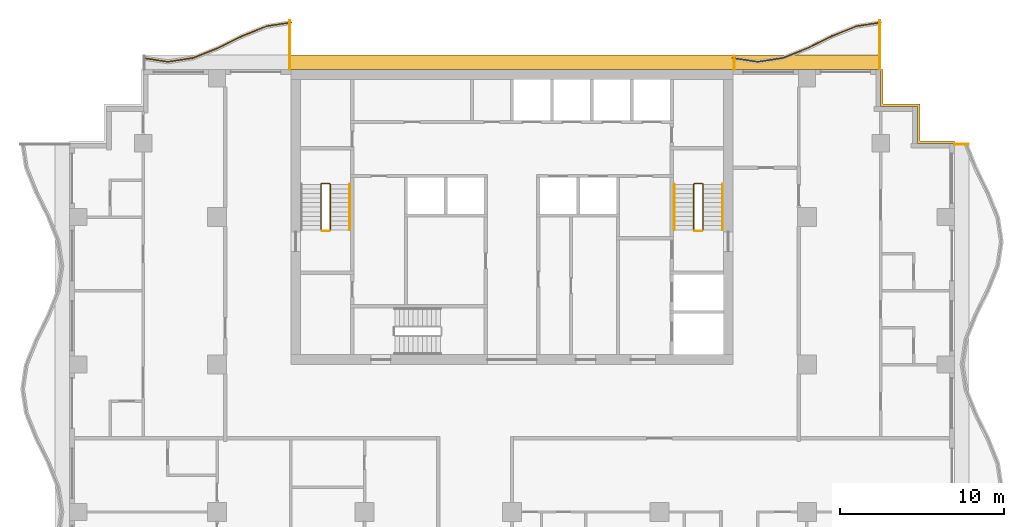
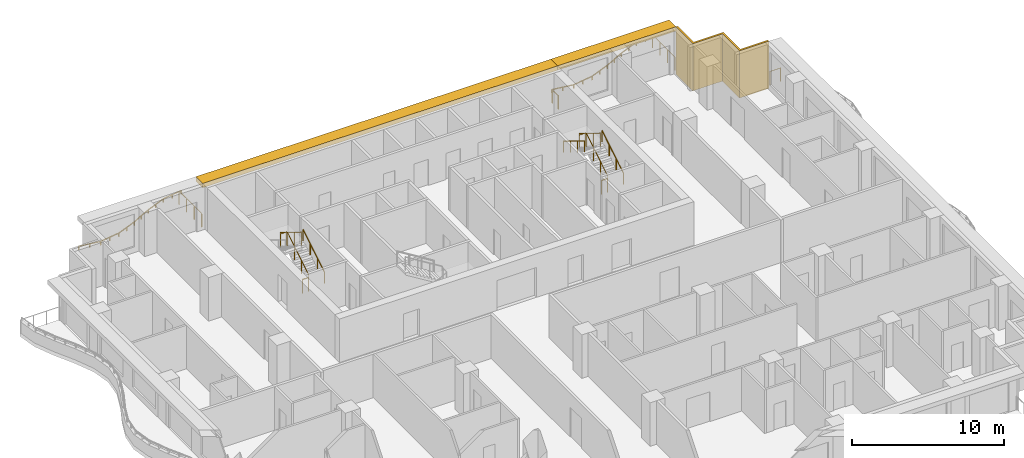
# One storey, part 11 of 11: 13 railings, 3 shading devices.
"""IFC4 building model written with IfcOpenShell, lengths in metres."""

from ifc_helpers import new_model, si_unit, direction, frame, origin, origin_2d, place, context, subcontext, project, spatial, polyline, rectangle, circle, outline, extrude, material, layer, layer_set, type_object, element, save


model = new_model("IFC4")

# Units and contexts
model_context = context("Model", 3, precision=1e-05, world=origin(), true_north=direction((0.0, 1.0)))
body_context = subcontext(model_context, "Body", "Model", "MODEL_VIEW")
ifc_project = project(units=[si_unit("LENGTHUNIT", "METRE"), si_unit("AREAUNIT", "SQUARE_METRE"), si_unit("VOLUMEUNIT", "CUBIC_METRE"), si_unit("PLANEANGLEUNIT", "RADIAN"), si_unit("MASSUNIT", "GRAM", prefix="KILO")], contexts=[model_context])

# Site, building, storey
site_placement = place(None, origin())
site = spatial("IfcSite", under=ifc_project, at=site_placement, CompositionType="ELEMENT")
building_placement = place(site_placement, origin())
building = spatial("IfcBuilding", under=site, at=building_placement, Name="Orbiselva Terraces", CompositionType="ELEMENT")
storey_placement = place(building_placement, frame((0.0, 0.0, 188.2)))
storey = spatial("IfcBuildingStorey", under=building, at=storey_placement, Name="L47", CompositionType="ELEMENT", Elevation=188.2)

# Railings
ifc_material_1 = material(Name="Stainless steel", Category="steel")
railing_type_1 = type_object("IfcRailingType", Name="CORE-GUARD-1100", PredefinedType="GUARDRAIL", material=ifc_material_1)
railing_1_placement = place(storey_placement, frame((-11.1, 12.7, 0.172727)))
element("IfcRailing", 1, at=railing_1_placement, inside=storey, type_object=railing_type_1, Name="L47 S1 stair guard 1", PredefinedType="GUARDRAIL", context=body_context, shape_type="SweptSolid", body=[
    extrude(circle(Radius=0.024, at=origin_2d()), frame((0.0, 0.0, 1.081), z_axis=(0.0, 0.851088519012, 0.52502222125), x_axis=(-1.0, 0.0, 0.0)), (0.0, 0.0, 1.0), 3.289905),
    extrude(circle(Radius=0.024, at=origin_2d()), frame((0.0, 2.8, 2.808273), z_axis=(-0.707106781187, 0.707106781187, 0.0), x_axis=(-0.707106781187, -0.707106781187, 0.0)), (0.0, 0.0, 1.0), 0.070711),
    extrude(circle(Radius=0.024, at=origin_2d()), frame((-0.05, 2.85, 2.808273), z_axis=(-1.0, 0.0, 0.0), x_axis=(0.0, -1.0, 0.0)), (0.0, 0.0, 1.0), 0.45),
    extrude(circle(Radius=0.024, at=origin_2d()), frame((-0.5, 2.85, 2.808273), z_axis=(-0.267894925557, -0.267894925557, 0.925453736133), x_axis=(0.707106781187, -0.707106781187, 0.0)), (0.0, 0.0, 1.0), 0.18664),
    extrude(circle(Radius=0.024, at=origin_2d()), frame((-0.55, 2.8, 2.981), z_axis=(0.0, -0.851088519012, 0.52502222125), x_axis=(1.0, 0.0, 0.0)), (0.0, 0.0, 1.0), 3.289905),
    extrude(circle(Radius=0.021, at=origin_2d()), origin(), (0.0, 0.0, 1.0), 1.057),
    extrude(circle(Radius=0.021, at=origin_2d()), frame((0.0, 0.933333, 0.575758)), (0.0, 0.0, 1.0), 1.057),
    extrude(circle(Radius=0.021, at=origin_2d()), frame((0.0, 1.866667, 1.151515)), (0.0, 0.0, 1.0), 1.057),
    extrude(circle(Radius=0.021, at=origin_2d()), frame((0.0, 2.8, 1.727273)), (0.0, 0.0, 1.0), 1.057),
    extrude(circle(Radius=0.021, at=origin_2d()), frame((-0.05, 2.85, 1.727273)), (0.0, 0.0, 1.0), 1.057),
    extrude(circle(Radius=0.021, at=origin_2d()), frame((-0.5, 2.85, 1.727273)), (0.0, 0.0, 1.0), 1.057),
    extrude(circle(Radius=0.021, at=origin_2d()), frame((-0.55, 2.8, 1.9)), (0.0, 0.0, 1.0), 1.057),
    extrude(circle(Radius=0.021, at=origin_2d()), frame((-0.55, 1.866667, 2.475758)), (0.0, 0.0, 1.0), 1.057),
    extrude(circle(Radius=0.021, at=origin_2d()), frame((-0.55, 0.933333, 3.051515)), (0.0, 0.0, 1.0), 1.057),
    extrude(circle(Radius=0.021, at=origin_2d()), frame((-0.55, 0.0, 3.627273)), (0.0, 0.0, 1.0), 1.057),
])
railing_2_placement = place(storey_placement, frame((-11.15, 12.65, 0.0)))
element("IfcRailing", 2, at=railing_2_placement, inside=storey, type_object=railing_type_1, Name="L47 S1 stair guard 2", PredefinedType="GUARDRAIL", context=body_context, shape_type="SweptSolid", body=[
    extrude(circle(Radius=0.024, at=origin_2d()), frame((0.0, 0.0, 1.081), z_axis=(-1.0, 0.0, 0.0), x_axis=(0.0, -1.0, 0.0)), (0.0, 0.0, 1.0), 0.45),
    extrude(circle(Radius=0.021, at=origin_2d()), origin(), (0.0, 0.0, 1.0), 1.057),
    extrude(circle(Radius=0.021, at=origin_2d()), frame((-0.45, 0.0, 0.0)), (0.0, 0.0, 1.0), 1.057),
])
railing_3_placement = place(storey_placement, frame((11.65, 12.7, 0.172727)))
element("IfcRailing", 3, at=railing_3_placement, inside=storey, type_object=railing_type_1, Name="L47 S2 stair guard 1", PredefinedType="GUARDRAIL", context=body_context, shape_type="SweptSolid", body=[
    extrude(circle(Radius=0.024, at=origin_2d()), frame((0.0, 0.0, 1.081), z_axis=(0.0, 0.851088519012, 0.52502222125), x_axis=(-1.0, 0.0, 0.0)), (0.0, 0.0, 1.0), 3.289905),
    extrude(circle(Radius=0.024, at=origin_2d()), frame((0.0, 2.8, 2.808273), z_axis=(-0.707106781187, 0.707106781187, 0.0), x_axis=(-0.707106781187, -0.707106781187, 0.0)), (0.0, 0.0, 1.0), 0.070711),
    extrude(circle(Radius=0.024, at=origin_2d()), frame((-0.05, 2.85, 2.808273), z_axis=(-1.0, 0.0, 0.0), x_axis=(0.0, -1.0, 0.0)), (0.0, 0.0, 1.0), 0.45),
    extrude(circle(Radius=0.024, at=origin_2d()), frame((-0.5, 2.85, 2.808273), z_axis=(-0.267894925557, -0.267894925557, 0.925453736133), x_axis=(0.707106781187, -0.707106781187, 0.0)), (0.0, 0.0, 1.0), 0.18664),
    extrude(circle(Radius=0.024, at=origin_2d()), frame((-0.55, 2.8, 2.981), z_axis=(0.0, -0.851088519012, 0.52502222125), x_axis=(1.0, 0.0, 0.0)), (0.0, 0.0, 1.0), 3.289905),
    extrude(circle(Radius=0.021, at=origin_2d()), origin(), (0.0, 0.0, 1.0), 1.057),
    extrude(circle(Radius=0.021, at=origin_2d()), frame((0.0, 0.933333, 0.575758)), (0.0, 0.0, 1.0), 1.057),
    extrude(circle(Radius=0.021, at=origin_2d()), frame((0.0, 1.866667, 1.151515)), (0.0, 0.0, 1.0), 1.057),
    extrude(circle(Radius=0.021, at=origin_2d()), frame((0.0, 2.8, 1.727273)), (0.0, 0.0, 1.0), 1.057),
    extrude(circle(Radius=0.021, at=origin_2d()), frame((-0.05, 2.85, 1.727273)), (0.0, 0.0, 1.0), 1.057),
    extrude(circle(Radius=0.021, at=origin_2d()), frame((-0.5, 2.85, 1.727273)), (0.0, 0.0, 1.0), 1.057),
    extrude(circle(Radius=0.021, at=origin_2d()), frame((-0.55, 2.8, 1.9)), (0.0, 0.0, 1.0), 1.057),
    extrude(circle(Radius=0.021, at=origin_2d()), frame((-0.55, 1.866667, 2.475758)), (0.0, 0.0, 1.0), 1.057),
    extrude(circle(Radius=0.021, at=origin_2d()), frame((-0.55, 0.933333, 3.051515)), (0.0, 0.0, 1.0), 1.057),
    extrude(circle(Radius=0.021, at=origin_2d()), frame((-0.55, 0.0, 3.627273)), (0.0, 0.0, 1.0), 1.057),
])
railing_4_placement = place(storey_placement, frame((11.6, 12.65, 0.0)))
element("IfcRailing", 4, at=railing_4_placement, inside=storey, type_object=railing_type_1, Name="L47 S2 stair guard 2", PredefinedType="GUARDRAIL", context=body_context, shape_type="SweptSolid", body=[
    extrude(circle(Radius=0.024, at=origin_2d()), frame((0.0, 0.0, 1.081), z_axis=(-1.0, 0.0, 0.0), x_axis=(0.0, -1.0, 0.0)), (0.0, 0.0, 1.0), 0.45),
    extrude(circle(Radius=0.021, at=origin_2d()), origin(), (0.0, 0.0, 1.0), 1.057),
    extrude(circle(Radius=0.021, at=origin_2d()), frame((-0.45, 0.0, 0.0)), (0.0, 0.0, 1.0), 1.057),
])
railing_type_2 = type_object("IfcRailingType", Name="CORE-HANDRAIL-900", PredefinedType="HANDRAIL", material=ifc_material_1)
for number, where, name in (
    (5, (-9.9, 12.7, 0.172727), "L47 S1 stair handrail 1"),
    (6, (12.85, 12.7, 0.172727), "L47 S2 stair handrail 1"),
):
    element("IfcRailing", number, at=place(storey_placement, frame(where)), inside=storey, type_object=railing_type_2, Name=name, PredefinedType="HANDRAIL", context=body_context, shape_type="SweptSolid", body=[
        extrude(circle(Radius=0.024, at=origin_2d()), frame((0.0, 0.0, 0.876), z_axis=(0.0, 0.851088519012, 0.52502222125), x_axis=(-1.0, 0.0, 0.0)), (0.0, 0.0, 1.0), 3.289905),
        extrude(circle(Radius=0.021, at=origin_2d()), origin(), (0.0, 0.0, 1.0), 0.852),
        extrude(circle(Radius=0.021, at=origin_2d()), frame((0.0, 0.933333, 0.575758)), (0.0, 0.0, 1.0), 0.852),
        extrude(circle(Radius=0.021, at=origin_2d()), frame((0.0, 1.866667, 1.151515)), (0.0, 0.0, 1.0), 0.852),
        extrude(circle(Radius=0.021, at=origin_2d()), frame((0.0, 2.8, 1.727273)), (0.0, 0.0, 1.0), 0.852),
    ])
railing_5_placement = place(storey_placement, frame((9.9, 15.5, 2.072727)))
element("IfcRailing", 7, at=railing_5_placement, inside=storey, type_object=railing_type_2, Name="L47 S2 stair handrail 2", PredefinedType="HANDRAIL", context=body_context, shape_type="SweptSolid", body=[
    extrude(circle(Radius=0.024, at=origin_2d()), frame((0.0, 0.0, 0.876), z_axis=(0.0, -0.851088519012, 0.52502222125), x_axis=(1.0, 0.0, 0.0)), (0.0, 0.0, 1.0), 3.289905),
    extrude(circle(Radius=0.021, at=origin_2d()), origin(), (0.0, 0.0, 1.0), 0.852),
    extrude(circle(Radius=0.021, at=origin_2d()), frame((0.0, -0.933333, 0.575758)), (0.0, 0.0, 1.0), 0.852),
    extrude(circle(Radius=0.021, at=origin_2d()), frame((0.0, -1.866667, 1.151515)), (0.0, 0.0, 1.0), 0.852),
    extrude(circle(Radius=0.021, at=origin_2d()), frame((0.0, -2.8, 1.727273)), (0.0, 0.0, 1.0), 0.852),
])
ifc_material_2 = material(Name="Bonded two-ply safety glass balustrade, stainless steel posts", Category="steel")
railing_type_3 = type_object("IfcRailingType", Name="ENV-BALUSTRADE-1200", PredefinedType="BALUSTRADE", material=ifc_material_2)
railing_6_placement = place(storey_placement, frame((22.518879, 25.376434, 0.9)))
element("IfcRailing", 8, at=railing_6_placement, inside=storey, type_object=railing_type_3, Name="Balcony balustrade L47 NE", PredefinedType="BALUSTRADE", context=body_context, shape_type="SweptSolid", body=[
    extrude(outline(polyline([(0.028868, 0.0), (0.014434, 0.025), (-0.014434, 0.025), (-0.028868, 0.0), (-0.014434, -0.025), (0.014434, -0.025), (0.028868, 0.0)])), frame((0.0, 0.0, 0.275), z_axis=(-0.988528552748, -0.151034103443, 0.0), x_axis=(0.151034103443, -0.988528552748, 0.0)), (0.0, 0.0, 1.0), 1.503038),
    extrude(outline(polyline([(0.028868, 0.0), (0.014434, 0.025), (-0.014434, 0.025), (-0.028868, 0.0), (-0.014434, -0.025), (0.014434, -0.025), (0.028868, 0.0)])), frame((-1.485796, -0.22701, 0.275), z_axis=(-0.928476561272, -0.371391000387, 0.0), x_axis=(0.371391000387, -0.928476561272, 0.0)), (0.0, 0.0, 1.0), 1.596261),
    extrude(outline(polyline([(0.028868, 0.0), (0.014434, 0.025), (-0.014434, 0.025), (-0.028868, 0.0), (-0.014434, -0.025), (0.014434, -0.025), (0.028868, 0.0)])), frame((-2.967887, -0.819847, 0.275), z_axis=(-0.896416672454, -0.443212307306, 0.0), x_axis=(0.443212307306, -0.896416672454, 0.0)), (0.0, 0.0, 1.0), 1.673329),
    extrude(outline(polyline([(0.028868, 0.0), (0.014434, 0.025), (-0.014434, 0.025), (-0.028868, 0.0), (-0.014434, -0.025), (0.014434, -0.025), (0.028868, 0.0)])), frame((-4.467887, -1.561487, 0.275), z_axis=(-0.92847681744, -0.371390359967, 0.0), x_axis=(0.371390359967, -0.92847681744, 0.0)), (0.0, 0.0, 1.0), 1.634838),
    extrude(outline(polyline([(0.028868, 0.0), (0.014434, 0.025), (-0.014434, 0.025), (-0.028868, 0.0), (-0.014434, -0.025), (0.014434, -0.025), (0.028868, 0.0)])), frame((-5.985796, -2.16865, 0.275), z_axis=(-0.988528536275, -0.151034211256, 0.0), x_axis=(0.151034211256, -0.988528536275, 0.0)), (0.0, 0.0, 1.0), 1.550874),
    extrude(outline(polyline([(0.028868, 0.0), (0.014434, 0.025), (-0.014434, 0.025), (-0.028868, 0.0), (-0.014434, -0.025), (0.014434, -0.025), (0.028868, 0.0)])), frame((-7.518879, -2.402885, 0.275), z_axis=(-0.988528518286, 0.151034328999, 0.0), x_axis=(-0.151034328999, -0.988528518286, 0.0)), (0.0, 0.0, 1.0), 1.536505),
    extrude(rectangle(XDim=0.05, YDim=0.05, at=origin_2d()), origin(), (0.0, 0.0, 1.0), 0.25),
    extrude(rectangle(XDim=0.05, YDim=0.05, at=origin_2d()), frame((-0.742898, -0.113505, 0.0)), (0.0, 0.0, 1.0), 0.25),
    extrude(rectangle(XDim=0.05, YDim=0.05, at=origin_2d()), frame((-1.485796, -0.22701, 0.0)), (0.0, 0.0, 1.0), 0.25),
    extrude(rectangle(XDim=0.05, YDim=0.05, at=origin_2d()), frame((-2.226841, -0.523428, 0.0)), (0.0, 0.0, 1.0), 0.25),
    extrude(rectangle(XDim=0.05, YDim=0.05, at=origin_2d()), frame((-2.967887, -0.819847, 0.0)), (0.0, 0.0, 1.0), 0.25),
    extrude(rectangle(XDim=0.05, YDim=0.05, at=origin_2d()), frame((-3.717887, -1.190667, 0.0)), (0.0, 0.0, 1.0), 0.25),
    extrude(rectangle(XDim=0.05, YDim=0.05, at=origin_2d()), frame((-4.467887, -1.561487, 0.0)), (0.0, 0.0, 1.0), 0.25),
    extrude(rectangle(XDim=0.05, YDim=0.05, at=origin_2d()), frame((-5.226841, -1.865068, 0.0)), (0.0, 0.0, 1.0), 0.25),
    extrude(rectangle(XDim=0.05, YDim=0.05, at=origin_2d()), frame((-5.985796, -2.16865, 0.0)), (0.0, 0.0, 1.0), 0.25),
    extrude(rectangle(XDim=0.05, YDim=0.05, at=origin_2d()), frame((-6.752337, -2.285768, 0.0)), (0.0, 0.0, 1.0), 0.25),
    extrude(rectangle(XDim=0.05, YDim=0.05, at=origin_2d()), frame((-7.518879, -2.402885, 0.0)), (0.0, 0.0, 1.0), 0.25),
    extrude(rectangle(XDim=0.05, YDim=0.05, at=origin_2d()), frame((-8.278318, -2.286852, 0.0)), (0.0, 0.0, 1.0), 0.25),
    extrude(rectangle(XDim=0.05, YDim=0.05, at=origin_2d()), frame((-9.037758, -2.17082, 0.0)), (0.0, 0.0, 1.0), 0.25),
])
railing_7_placement = place(storey_placement, frame((-13.481121, 25.376434, 0.9)))
element("IfcRailing", 9, at=railing_7_placement, inside=storey, type_object=railing_type_3, Name="Balcony balustrade L47 NW", PredefinedType="BALUSTRADE", context=body_context, shape_type="SweptSolid", body=[
    extrude(outline(polyline([(0.028868, 0.0), (0.014434, 0.025), (-0.014434, 0.025), (-0.028868, 0.0), (-0.014434, -0.025), (0.014434, -0.025), (0.028868, 0.0)])), frame((0.0, 0.0, 0.275), z_axis=(-0.988528552748, -0.151034103443, 0.0), x_axis=(0.151034103443, -0.988528552748, 0.0)), (0.0, 0.0, 1.0), 1.503038),
    extrude(outline(polyline([(0.028868, 0.0), (0.014434, 0.025), (-0.014434, 0.025), (-0.028868, 0.0), (-0.014434, -0.025), (0.014434, -0.025), (0.028868, 0.0)])), frame((-1.485796, -0.22701, 0.275), z_axis=(-0.928476561272, -0.371391000387, 0.0), x_axis=(0.371391000387, -0.928476561272, 0.0)), (0.0, 0.0, 1.0), 1.596261),
    extrude(outline(polyline([(0.028868, 0.0), (0.014434, 0.025), (-0.014434, 0.025), (-0.028868, 0.0), (-0.014434, -0.025), (0.014434, -0.025), (0.028868, 0.0)])), frame((-2.967887, -0.819847, 0.275), z_axis=(-0.896416672454, -0.443212307306, 0.0), x_axis=(0.443212307306, -0.896416672454, 0.0)), (0.0, 0.0, 1.0), 1.673329),
    extrude(outline(polyline([(0.028868, 0.0), (0.014434, 0.025), (-0.014434, 0.025), (-0.028868, 0.0), (-0.014434, -0.025), (0.014434, -0.025), (0.028868, 0.0)])), frame((-4.467887, -1.561487, 0.275), z_axis=(-0.92847681744, -0.371390359967, 0.0), x_axis=(0.371390359967, -0.92847681744, 0.0)), (0.0, 0.0, 1.0), 1.634838),
    extrude(outline(polyline([(0.028868, 0.0), (0.014434, 0.025), (-0.014434, 0.025), (-0.028868, 0.0), (-0.014434, -0.025), (0.014434, -0.025), (0.028868, 0.0)])), frame((-5.985796, -2.16865, 0.275), z_axis=(-0.988528536275, -0.151034211256, 0.0), x_axis=(0.151034211256, -0.988528536275, 0.0)), (0.0, 0.0, 1.0), 1.550874),
    extrude(outline(polyline([(0.028868, 0.0), (0.014434, 0.025), (-0.014434, 0.025), (-0.028868, 0.0), (-0.014434, -0.025), (0.014434, -0.025), (0.028868, 0.0)])), frame((-7.518879, -2.402885, 0.275), z_axis=(-0.988528518286, 0.151034328999, 0.0), x_axis=(-0.151034328999, -0.988528518286, 0.0)), (0.0, 0.0, 1.0), 1.536505),
    extrude(rectangle(XDim=0.05, YDim=0.05, at=origin_2d()), origin(), (0.0, 0.0, 1.0), 0.25),
    extrude(rectangle(XDim=0.05, YDim=0.05, at=origin_2d()), frame((-0.742898, -0.113505, 0.0)), (0.0, 0.0, 1.0), 0.25),
    extrude(rectangle(XDim=0.05, YDim=0.05, at=origin_2d()), frame((-1.485796, -0.22701, 0.0)), (0.0, 0.0, 1.0), 0.25),
    extrude(rectangle(XDim=0.05, YDim=0.05, at=origin_2d()), frame((-2.226842, -0.523428, 0.0)), (0.0, 0.0, 1.0), 0.25),
    extrude(rectangle(XDim=0.05, YDim=0.05, at=origin_2d()), frame((-2.967887, -0.819847, 0.0)), (0.0, 0.0, 1.0), 0.25),
    extrude(rectangle(XDim=0.05, YDim=0.05, at=origin_2d()), frame((-3.717887, -1.190667, 0.0)), (0.0, 0.0, 1.0), 0.25),
    extrude(rectangle(XDim=0.05, YDim=0.05, at=origin_2d()), frame((-4.467887, -1.561487, 0.0)), (0.0, 0.0, 1.0), 0.25),
    extrude(rectangle(XDim=0.05, YDim=0.05, at=origin_2d()), frame((-5.226841, -1.865068, 0.0)), (0.0, 0.0, 1.0), 0.25),
    extrude(rectangle(XDim=0.05, YDim=0.05, at=origin_2d()), frame((-5.985796, -2.16865, 0.0)), (0.0, 0.0, 1.0), 0.25),
    extrude(rectangle(XDim=0.05, YDim=0.05, at=origin_2d()), frame((-6.752337, -2.285768, 0.0)), (0.0, 0.0, 1.0), 0.25),
    extrude(rectangle(XDim=0.05, YDim=0.05, at=origin_2d()), frame((-7.518879, -2.402885, 0.0)), (0.0, 0.0, 1.0), 0.25),
    extrude(rectangle(XDim=0.05, YDim=0.05, at=origin_2d()), frame((-8.278318, -2.286852, 0.0)), (0.0, 0.0, 1.0), 0.25),
    extrude(rectangle(XDim=0.05, YDim=0.05, at=origin_2d()), frame((-9.037758, -2.17082, 0.0)), (0.0, 0.0, 1.0), 0.25),
])
ifc_material_3 = material(Name="Stainless steel rail and posts", Category="steel")
railing_type_4 = type_object("IfcRailingType", Name="ENV-GUARD-1105", PredefinedType="BALUSTRADE", material=ifc_material_3)
railing_8_placement = place(storey_placement, frame((27.847212, 17.94, 0.0)))
element("IfcRailing", 10, at=railing_8_placement, inside=storey, type_object=railing_type_4, Name="Balcony end guard L47 E", PredefinedType="BALUSTRADE", context=body_context, shape_type="SweptSolid", body=[
    extrude(outline(polyline([(0.028868, 0.0), (0.014434, 0.025), (-0.014434, 0.025), (-0.028868, 0.0), (-0.014434, -0.025), (0.014434, -0.025), (0.028868, 0.0)])), frame((0.0, 0.0, 1.08), z_axis=(-1.0, 0.0, 0.0), x_axis=(0.0, -1.0, 0.0)), (0.0, 0.0, 1.0), 0.822212),
    extrude(rectangle(XDim=0.05, YDim=0.05, at=origin_2d()), origin(), (0.0, 0.0, 1.0), 1.055),
    extrude(rectangle(XDim=0.05, YDim=0.05, at=origin_2d()), frame((-0.822212, 0.0, 0.0)), (0.0, 0.0, 1.0), 1.055),
])
railing_9_placement = place(storey_placement, frame((22.44, 25.499621, 0.0)))
element("IfcRailing", 11, at=railing_9_placement, inside=storey, type_object=railing_type_4, Name="Balcony end guard L47 NE", PredefinedType="BALUSTRADE", context=body_context, shape_type="SweptSolid", body=[
    extrude(outline(polyline([(0.028868, 0.0), (0.014434, 0.025), (-0.014434, 0.025), (-0.028868, 0.0), (-0.014434, -0.025), (0.014434, -0.025), (0.028868, 0.0)])), frame((0.0, 0.0, 1.08), z_axis=(0.0, -1.0, 0.0), x_axis=(1.0, 0.0, 0.0)), (0.0, 0.0, 1.0), 2.974621),
    extrude(rectangle(XDim=0.05, YDim=0.05, at=origin_2d()), origin(), (0.0, 0.0, 1.0), 1.055),
    extrude(rectangle(XDim=0.05, YDim=0.05, at=origin_2d()), frame((0.0, -0.99154, 0.0)), (0.0, 0.0, 1.0), 1.055),
    extrude(rectangle(XDim=0.05, YDim=0.05, at=origin_2d()), frame((0.0, -1.983081, 0.0)), (0.0, 0.0, 1.0), 1.055),
    extrude(rectangle(XDim=0.05, YDim=0.05, at=origin_2d()), frame((0.0, -2.974621, 0.0)), (0.0, 0.0, 1.0), 1.055),
])
railing_10_placement = place(storey_placement, frame((13.56, 23.311761, 0.0)))
element("IfcRailing", 12, at=railing_10_placement, inside=storey, type_object=railing_type_4, Name="Balcony end guard L47 NE", PredefinedType="BALUSTRADE", context=body_context, shape_type="SweptSolid", body=[
    extrude(outline(polyline([(0.028868, 0.0), (0.014434, 0.025), (-0.014434, 0.025), (-0.028868, 0.0), (-0.014434, -0.025), (0.014434, -0.025), (0.028868, 0.0)])), frame((0.0, 0.0, 1.08), z_axis=(0.0, -1.0, 0.0), x_axis=(1.0, 0.0, 0.0)), (0.0, 0.0, 1.0), 0.786761),
    extrude(rectangle(XDim=0.05, YDim=0.05, at=origin_2d()), origin(), (0.0, 0.0, 1.0), 1.055),
    extrude(rectangle(XDim=0.05, YDim=0.05, at=origin_2d()), frame((0.0, -0.786761, 0.0)), (0.0, 0.0, 1.0), 1.055),
])
railing_11_placement = place(storey_placement, frame((-13.56, 25.499621, 0.0)))
element("IfcRailing", 13, at=railing_11_placement, inside=storey, type_object=railing_type_4, Name="Balcony end guard L47 NW", PredefinedType="BALUSTRADE", context=body_context, shape_type="SweptSolid", body=[
    extrude(outline(polyline([(0.028868, 0.0), (0.014434, 0.025), (-0.014434, 0.025), (-0.028868, 0.0), (-0.014434, -0.025), (0.014434, -0.025), (0.028868, 0.0)])), frame((0.0, 0.0, 1.08), z_axis=(0.0, -1.0, 0.0), x_axis=(1.0, 0.0, 0.0)), (0.0, 0.0, 1.0), 2.974621),
    extrude(rectangle(XDim=0.05, YDim=0.05, at=origin_2d()), origin(), (0.0, 0.0, 1.0), 1.055),
    extrude(rectangle(XDim=0.05, YDim=0.05, at=origin_2d()), frame((0.0, -0.99154, 0.0)), (0.0, 0.0, 1.0), 1.055),
    extrude(rectangle(XDim=0.05, YDim=0.05, at=origin_2d()), frame((0.0, -1.983081, 0.0)), (0.0, 0.0, 1.0), 1.055),
    extrude(rectangle(XDim=0.05, YDim=0.05, at=origin_2d()), frame((0.0, -2.974621, 0.0)), (0.0, 0.0, 1.0), 1.055),
])

# Shading devices
ifc_material_4 = material(Name="Terracotta louvre screen", Category="masonry")
ifc_layer_1 = layer(ifc_material_4, 0.15)
ifc_layer_set_1 = layer_set([ifc_layer_1], Name="Terracotta louvre screen")
shading_device_type_1 = type_object("IfcShadingDeviceType", Name="ENV-SCREEN-150", PredefinedType="USERDEFINED", material=ifc_layer_set_1)
shading_device_1_placement = place(storey_placement, frame((0.0, 0.0, -0.3)))
element("IfcShadingDevice", 14, at=shading_device_1_placement, inside=storey, type_object=shading_device_type_1, Name="Louvre screen L47 NE", ObjectType="SCREEN", PredefinedType="USERDEFINED", context=body_context, shape_type="SweptSolid", body=[
    extrude(outline(polyline([(27.0, 18.15), (24.9, 18.15), (24.9, 20.4), (22.65, 20.4), (22.65, 22.5), (22.5, 22.5), (22.5, 20.25), (24.75, 20.25), (24.75, 18.0), (27.0, 18.0), (27.0, 18.15)])), origin(), (0.0, 0.0, 1.0), 3.8),
])
ifc_material_5 = material(Name="Terracotta baguette sunshade", Category="masonry")
ifc_layer_2 = layer(ifc_material_5, 0.35)
ifc_layer_set_2 = layer_set([ifc_layer_2], Name="Terracotta baguette sunshade")
shading_device_type_2 = type_object("IfcShadingDeviceType", Name="ENV-SUNSHADE-900x350", PredefinedType="USERDEFINED", material=ifc_layer_set_2)
shading_device_2_placement = place(storey_placement, frame((0.0, 0.0, 3.15)))
element("IfcShadingDevice", 15, at=shading_device_2_placement, inside=storey, type_object=shading_device_type_2, Name="Sunshade band L47 NE", ObjectType="SUNSHADE", PredefinedType="USERDEFINED", context=body_context, shape_type="SweptSolid", body=[
    extrude(outline(polyline([(22.5, 23.4), (13.5, 23.4), (13.5, 22.5), (22.5, 22.5), (22.5, 23.4)])), origin(), (0.0, 0.0, 1.0), 0.35),
])
shading_device_3_placement = place(storey_placement, frame((0.0, 0.0, 3.15)))
element("IfcShadingDevice", 16, at=shading_device_3_placement, inside=storey, type_object=shading_device_type_2, Name="Sunshade band L47 CORE NORTH", ObjectType="SUNSHADE", PredefinedType="USERDEFINED", context=body_context, shape_type="SweptSolid", body=[
    extrude(outline(polyline([(13.5, 23.4), (-13.5, 23.4), (-13.5, 22.5), (13.5, 22.5), (13.5, 23.4)])), origin(), (0.0, 0.0, 1.0), 0.35),
])

save(model, "model.ifc")
